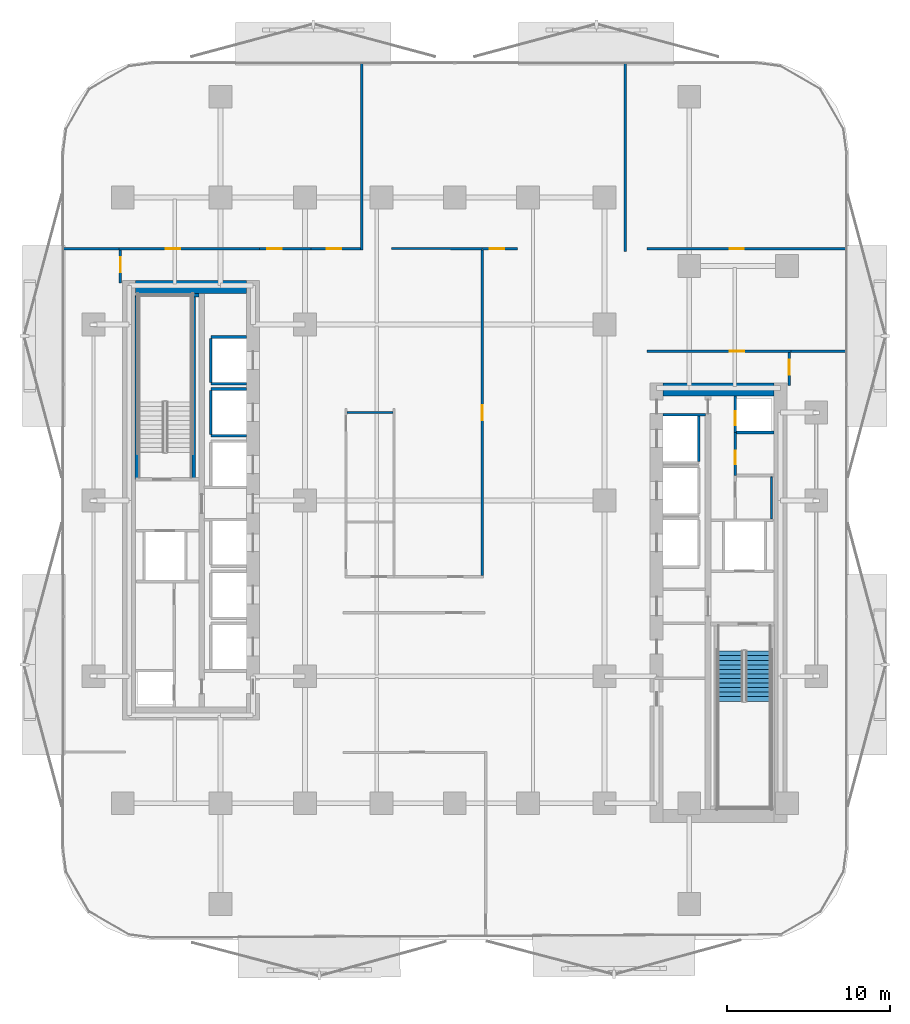
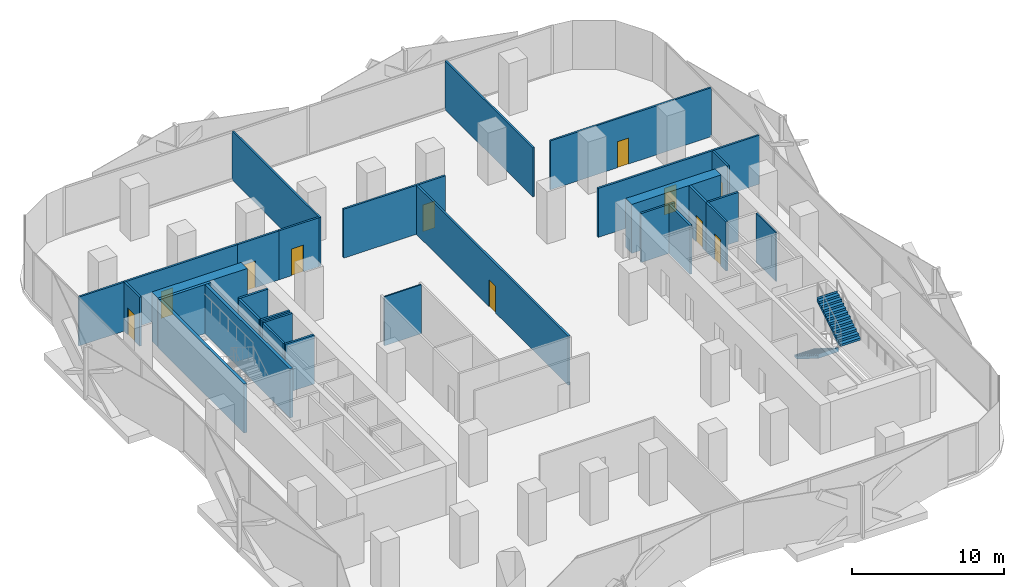
# One storey, part 5 of 15: 32 walls, 11 doors, 2 stair flights, 11 openings, 1 element without a shape of its own.
"""IFC4 building model written with IfcOpenShell, lengths in metres."""

from ifc_helpers import new_model, si_unit, direction, frame, frame_2d, origin, place, context, subcontext, project, spatial, polyline, rectangle, outline, extrude, material, layer, layer_set, type_object, element, fill, aggregate, save


model = new_model("IFC4")

# Units and contexts
model_context = context("Model", 3, precision=1e-05, world=origin(), true_north=direction((0.0, 1.0)))
body_context = subcontext(model_context, "Body", "Model", "MODEL_VIEW")
ifc_project = project(units=[si_unit("LENGTHUNIT", "METRE"), si_unit("AREAUNIT", "SQUARE_METRE"), si_unit("VOLUMEUNIT", "CUBIC_METRE"), si_unit("PLANEANGLEUNIT", "RADIAN"), si_unit("MASSUNIT", "GRAM", prefix="KILO")], contexts=[model_context])

# Site, building, storey
site_placement = place(None, origin())
site = spatial("IfcSite", under=ifc_project, at=site_placement, CompositionType="ELEMENT")
building_placement = place(site_placement, origin())
building = spatial("IfcBuilding", under=site, at=building_placement, Name="Khairoan Windgate Tower", CompositionType="ELEMENT")
storey_placement = place(building_placement, frame((0.0, 0.0, 68.0)))
storey = spatial("IfcBuildingStorey", under=building, at=storey_placement, Name="L16", CompositionType="ELEMENT", Elevation=68.0)

# Walls
ifc_material_1 = material(Name="Moisture-Resistant Gypsum Partition", Category="gypsum")
ifc_layer_1 = layer(ifc_material_1, 0.10009765625, Name="Moisture-Resistant Gypsum Partition")
ifc_layer_set_1 = layer_set([ifc_layer_1], Name="Moisture-Resistant Gypsum Partition")
wall_type_1 = type_object("IfcWallType", Name="Bathroom Wet-Area Partition Wall", PredefinedType="PARTITIONING", material=ifc_layer_set_1)
wall_1_placement = place(storey_placement, frame((19.449951171875, 1.449951171875, 0.0), z_axis=(0.0, 0.0, 1.0), x_axis=(0.0, -1.0, 0.0)))
element("IfcWall", 1, at=wall_1_placement, inside=storey, type_object=wall_type_1, Name="L16 Wet Room Side Wall 035", PredefinedType="PARTITIONING", context=body_context, shape_type="SweptSolid", body=[
    extrude(rectangle(XDim=2.58984375, YDim=0.10009765625, at=frame_2d((1.294921875, 0.0))), origin(), (0.0, 0.0, 1.0), 3.93994140625),
])
wall_2_placement = place(storey_placement, frame((-6.610107421875, 5.39990234375, 0.0), z_axis=(0.0, 0.0, 1.0), x_axis=(1.0, 0.0, 0.0)))
element("IfcWall", 2, at=wall_2_placement, inside=storey, type_object=wall_type_1, Name="L16 Wet Room Side Wall 036", PredefinedType="PARTITIONING", context=body_context, shape_type="SweptSolid", body=[
    extrude(rectangle(XDim=2.800048828125, YDim=0.10009765625, at=frame_2d((1.39990234375, 0.0))), origin(), (0.0, 0.0, 1.0), 3.93994140625),
])
ifc_material_2 = material(Name="Concrete C40/50", Category="concrete")
ifc_layer_2 = layer(ifc_material_2, 0.159912109375, Name="Concrete C40/50")
ifc_layer_set_2 = layer_set([ifc_layer_2], Name="Concrete C40/50")
wall_type_2 = type_object("IfcWallType", Name="Core and Hoistway Enclosure Wall", PredefinedType="STANDARD", material=ifc_layer_set_2)
for number, where, z_axis, x_axis, name in (
    (3, (-14.989990234375, 7.159912109375, 0.0), (0.0, 0.0, 1.0), (1.0, 0.0, 0.0), "L16 Lift PL1 Hoistway Divider S"),
    (4, (-14.989990234375, 10.0400390625, 0.0), (0.0, 0.0, 1.0), (1.0, 0.0, 0.0), "L16 Lift PL1 Hoistway Divider N"),
):
    element("IfcWall", number, at=place(storey_placement, frame(where, z_axis=z_axis, x_axis=x_axis)), inside=storey, type_object=wall_type_2, Name=name, PredefinedType="STANDARD", context=body_context, shape_type="SweptSolid", body=[
        extrude(rectangle(XDim=2.18994140625, YDim=0.159912109375, at=frame_2d((1.094970703125, 0.0))), origin(), (0.0, 0.0, 1.0), 3.93994140625),
    ])
wall_3_placement = place(storey_placement, frame((-14.989990234375, 7.25, 0.0), z_axis=(0.0, 0.0, 1.0), x_axis=(0.0, 1.0, 0.0)))
element("IfcWall", 5, at=wall_3_placement, inside=storey, type_object=wall_type_2, Name="L16 Lift PL1 Hoistway Back Wall", PredefinedType="STANDARD", context=body_context, shape_type="SweptSolid", body=[
    extrude(rectangle(XDim=2.699951171875, YDim=0.159912109375, at=frame_2d((1.35009765625, 0.0))), origin(), (0.0, 0.0, 1.0), 3.93994140625),
])
for number, where, z_axis, x_axis, name in (
    (6, (-14.989990234375, 3.9599609375, 0.0), (0.0, 0.0, 1.0), (1.0, 0.0, 0.0), "L16 Lift PL2 Hoistway Divider S"),
    (7, (-14.989990234375, 6.840087890625, 0.0), (0.0, 0.0, 1.0), (1.0, 0.0, 0.0), "L16 Lift PL2 Hoistway Divider N"),
):
    element("IfcWall", number, at=place(storey_placement, frame(where, z_axis=z_axis, x_axis=x_axis)), inside=storey, type_object=wall_type_2, Name=name, PredefinedType="STANDARD", context=body_context, shape_type="SweptSolid", body=[
        extrude(rectangle(XDim=2.18994140625, YDim=0.159912109375, at=frame_2d((1.094970703125, 0.0))), origin(), (0.0, 0.0, 1.0), 3.93994140625),
    ])
wall_4_placement = place(storey_placement, frame((-14.989990234375, 4.050048828125, 0.0), z_axis=(0.0, 0.0, 1.0), x_axis=(0.0, 1.0, 0.0)))
element("IfcWall", 8, at=wall_4_placement, inside=storey, type_object=wall_type_2, Name="L16 Lift PL2 Hoistway Back Wall", PredefinedType="STANDARD", context=body_context, shape_type="SweptSolid", body=[
    extrude(rectangle(XDim=2.699951171875, YDim=0.159912109375, at=frame_2d((1.35009765625, 0.0))), origin(), (0.0, 0.0, 1.0), 3.93994140625),
])
wall_5_placement = place(storey_placement, frame((14.989990234375, 2.39990234375, 0.0), z_axis=(0.0, 0.0, 1.0), x_axis=(0.0, 1.0, 0.0)))
element("IfcWall", 9, at=wall_5_placement, inside=storey, type_object=wall_type_2, Name="L16 Lift PL7 Hoistway Back Wall", PredefinedType="STANDARD", context=body_context, shape_type="SweptSolid", body=[
    extrude(rectangle(XDim=2.800048828125, YDim=0.159912109375, at=frame_2d((1.39990234375, 0.0))), origin(), (0.0, 0.0, 1.0), 3.93994140625),
])
wall_6_placement = place(storey_placement, frame((12.800048828125, 5.25, 0.0), z_axis=(0.0, 0.0, 1.0), x_axis=(1.0, 0.0, 0.0)))
element("IfcWall", 10, at=wall_6_placement, inside=storey, type_object=wall_type_2, Name="L16 Core Shaft Wall SW-ESV-L16", PredefinedType="STANDARD", context=body_context, shape_type="SweptSolid", body=[
    extrude(rectangle(XDim=2.599853515625, YDim=0.159912109375, at=frame_2d((1.2998046875, 0.0))), origin(), (0.0, 0.0, 1.0), 3.93994140625),
])
ifc_material_3 = material(Name="Acoustic Fire-Rated Gypsum Partition", Category="gypsum")
ifc_layer_3 = layer(ifc_material_3, 0.139892578125, Name="Acoustic Fire-Rated Gypsum Partition")
ifc_layer_set_3 = layer_set([ifc_layer_3], Name="Acoustic Fire-Rated Gypsum Partition")
wall_type_3 = type_object("IfcWallType", Name="Inter-Tenancy Compartment Wall", PredefinedType="PARTITIONING", material=ifc_layer_set_3)
for number, where, z_axis, x_axis, name in (
    (11, (-24.054931640625, 15.4599609375, 0.0), (0.0, 0.0, 1.0), (1.0, 0.0, 0.0), "L16 Interior Partition 023"),
    (12, (20.639892578125, 9.159912109375, 0.0), (0.0, 0.0, 1.0), (1.0, 0.0, 0.0), "L16 Interior Partition 025"),
):
    element("IfcWall", number, at=place(storey_placement, frame(where, z_axis=z_axis, x_axis=x_axis)), inside=storey, type_object=wall_type_3, Name=name, PredefinedType="PARTITIONING", context=body_context, shape_type="SweptSolid", body=[
        extrude(rectangle(XDim=3.4150390625, YDim=0.139892578125, at=frame_2d((1.70751953125, 0.0))), origin(), (0.0, 0.0, 1.0), 3.93994140625),
    ])

# Wall, opening, door
wall_7_placement = place(storey_placement, frame((11.81005859375, 15.4599609375, 0.0), z_axis=(0.0, 0.0, 1.0), x_axis=(1.0, 0.0, 0.0)))
wall_7 = element("IfcWall", 13, at=wall_7_placement, inside=storey, type_object=wall_type_3, Name="L16 Interior Partition 026", PredefinedType="PARTITIONING", context=body_context, shape_type="SweptSolid", body=[
    extrude(rectangle(XDim=12.244873046875, YDim=0.139892578125, at=frame_2d((6.12255859375, 0.0))), origin(), (0.0, 0.0, 1.0), 3.93994140625),
])
opening_1_placement = place(wall_7_placement, frame((5.09326171875, 0.0, 0.0)))
opening_1 = element("IfcOpeningElement", 14, at=opening_1_placement, cuts=wall_7, Name="Opening FD-SRV", PredefinedType="OPENING", context=body_context, shape_type="SweptSolid", body=[
    extrude(rectangle(XDim=0.85009765625, YDim=2.10009765625, at=frame_2d((0.425048828125, 1.050048828125))), frame((0.0, 0.079833984375, 0.0), z_axis=(0.0, -1.0, 0.0), x_axis=(1.0, 0.0, 0.0)), (0.0, 0.0, 1.0), 0.159912109375),
])
ifc_material_4 = material(Name="Steel S355", Category="steel")
door_type_1 = type_object("IfcDoorType", Name="Core Service and Riser Fire Door FD-SRV 850x2100", OperationType="NOTDEFINED", PredefinedType="DOOR", material=ifc_material_4)
door_1_placement = place(opening_1_placement, origin())
door_1 = element("IfcDoor", 15, at=door_1_placement, inside=storey, type_object=door_type_1, Name="L16 L16-38-L16-41 Door", OperationType="SINGLE_SWING_LEFT", OverallHeight=2.10009765625, OverallWidth=0.85009765625, PredefinedType="DOOR", context=body_context, shape_type="SweptSolid", body=[
    extrude(rectangle(XDim=0.85009765625, YDim=2.10009765625, at=frame_2d((0.425048828125, 1.050048828125))), frame((0.0, 0.02490234375, 0.0), z_axis=(0.0, -1.0, 0.0), x_axis=(1.0, 0.0, 0.0)), (0.0, 0.0, 1.0), 0.050048828125),
])
fill(opening_1, door_1)

# Walls
wall_8_placement = place(storey_placement, frame((-5.7119140625, 15.385009765625, 0.0), z_axis=(0.0, 0.0, 1.0), x_axis=(0.0, 1.0, 0.0)))
element("IfcWall", 16, at=wall_8_placement, inside=storey, type_object=wall_type_3, Name="L16 Interior Partition 027", PredefinedType="PARTITIONING", context=body_context, shape_type="SweptSolid", body=[
    extrude(rectangle(XDim=11.469970703125, YDim=0.139892578125, at=frame_2d((5.73486328125, 0.0))), origin(), (0.0, 0.0, 1.0), 3.93994140625),
])
wall_9_placement = place(storey_placement, frame((10.471923828125, 15.280029296875, 0.0), z_axis=(0.0, 0.0, 1.0), x_axis=(0.0, 1.0, 0.0)))
element("IfcWall", 17, at=wall_9_placement, inside=storey, type_object=wall_type_3, Name="L16 Interior Partition 028", PredefinedType="PARTITIONING", context=body_context, shape_type="SweptSolid", body=[
    extrude(rectangle(XDim=11.574951171875, YDim=0.139892578125, at=frame_2d((5.78759765625, 0.0))), origin(), (0.0, 0.0, 1.0), 3.93994140625),
])
wall_10_placement = place(storey_placement, frame((-3.89990234375, 15.47998046875, 0.0), z_axis=(0.0, 0.0, 1.0), x_axis=(0.999993575589, -0.003584519724, 0.0)))
element("IfcWall", 18, at=wall_10_placement, inside=storey, type_object=wall_type_3, Name="L16 Interior Partition 029", PredefinedType="PARTITIONING", context=body_context, shape_type="SweptSolid", body=[
    extrude(rectangle(XDim=5.5849609375, YDim=0.139892578125, at=frame_2d((2.79248046875, 0.0))), origin(), (0.0, 0.0, 1.0), 3.93994140625),
])

# Wall, opening, door
ifc_material_5 = material(Name="Concrete C40/50", Category="concrete")
ifc_layer_4 = layer(ifc_material_5, 0.159912109375, Name="Concrete C40/50")
ifc_layer_set_4 = layer_set([ifc_layer_4], Name="Concrete C40/50")
wall_type_4 = type_object("IfcWallType", Name="Plant and Refuge Compartment Wall", PredefinedType="PARTITIONING", material=ifc_layer_set_4)
wall_11_placement = place(storey_placement, frame((17.22998046875, 4.169921875, 0.0), z_axis=(0.0, 0.0, 1.0), x_axis=(0.0, 1.0, 0.0)))
wall_11 = element("IfcWall", 19, at=wall_11_placement, inside=storey, type_object=wall_type_4, Name="L16 Interior Partition 004", PredefinedType="PARTITIONING", context=body_context, shape_type="SweptSolid", body=[
    extrude(rectangle(XDim=2.22998046875, YDim=0.159912109375, at=frame_2d((1.114990234375, 0.0))), origin(), (0.0, 0.0, 1.0), 3.93994140625),
])
opening_2_placement = place(wall_11_placement, frame((0.4599609375, 0.0, 0.0)))
opening_2 = element("IfcOpeningElement", 20, at=opening_2_placement, cuts=wall_11, Name="Opening FD-SRV", PredefinedType="OPENING", context=body_context, shape_type="SweptSolid", body=[
    extrude(rectangle(XDim=0.85009765625, YDim=2.10009765625, at=frame_2d((0.425048828125, 1.050048828125))), frame((0.0, 0.08984375, 0.0), z_axis=(0.0, -1.0, 0.0), x_axis=(1.0, 0.0, 0.0)), (0.0, 0.0, 1.0), 0.179931640625),
])
door_2_placement = place(opening_2_placement, origin())
door_2 = element("IfcDoor", 21, at=door_2_placement, inside=storey, type_object=door_type_1, Name="L16 L16-18-L16-19 Door", OperationType="SINGLE_SWING_LEFT", OverallHeight=2.10009765625, OverallWidth=0.85009765625, PredefinedType="DOOR", context=body_context, shape_type="SweptSolid", body=[
    extrude(rectangle(XDim=0.85009765625, YDim=2.10009765625, at=frame_2d((0.425048828125, 1.050048828125))), frame((0.0, 0.02490234375, 0.0), z_axis=(0.0, -1.0, 0.0), x_axis=(1.0, 0.0, 0.0)), (0.0, 0.0, 1.0), 0.050048828125),
])
fill(opening_2, door_2)

wall_12_placement = place(storey_placement, frame((17.22998046875, 1.530029296875, 0.0), z_axis=(0.0, 0.0, 1.0), x_axis=(0.0, 1.0, 0.0)))
wall_12 = element("IfcWall", 22, at=wall_12_placement, inside=storey, type_object=wall_type_4, Name="L16 Interior Partition 006", PredefinedType="PARTITIONING", context=body_context, shape_type="SweptSolid", body=[
    extrude(rectangle(XDim=2.639892578125, YDim=0.159912109375, at=frame_2d((1.31982421875, 0.0))), origin(), (0.0, 0.0, 1.0), 3.93994140625),
])
opening_3_placement = place(wall_12_placement, frame((0.677490234375, 0.0, 0.0)))
opening_3 = element("IfcOpeningElement", 23, at=opening_3_placement, cuts=wall_12, Name="Opening FD-SRV", PredefinedType="OPENING", context=body_context, shape_type="SweptSolid", body=[
    extrude(rectangle(XDim=0.85009765625, YDim=2.10009765625, at=frame_2d((0.425048828125, 1.050048828125))), frame((0.0, 0.08984375, 0.0), z_axis=(0.0, -1.0, 0.0), x_axis=(1.0, 0.0, 0.0)), (0.0, 0.0, 1.0), 0.179931640625),
])
door_3_placement = place(opening_3_placement, origin())
door_3 = element("IfcDoor", 24, at=door_3_placement, inside=storey, type_object=door_type_1, Name="L16 L16-18-L16-21 Door", OperationType="SINGLE_SWING_LEFT", OverallHeight=2.10009765625, OverallWidth=0.85009765625, PredefinedType="DOOR", context=body_context, shape_type="SweptSolid", body=[
    extrude(rectangle(XDim=0.85009765625, YDim=2.10009765625, at=frame_2d((0.425048828125, 1.050048828125))), frame((0.0, 0.02490234375, 0.0), z_axis=(0.0, -1.0, 0.0), x_axis=(1.0, 0.0, 0.0)), (0.0, 0.0, 1.0), 0.050048828125),
])
fill(opening_3, door_3)

# Wall
wall_13_placement = place(storey_placement, frame((17.31005859375, 4.169921875, 0.0), z_axis=(0.0, 0.0, 1.0), x_axis=(1.0, 0.0, 0.0)))
element("IfcWall", 25, at=wall_13_placement, inside=storey, type_object=wall_type_4, Name="L16 Interior Partition 007", PredefinedType="PARTITIONING", context=body_context, shape_type="SweptSolid", body=[
    extrude(rectangle(XDim=2.2900390625, YDim=0.159912109375, at=frame_2d((1.14501953125, 0.0))), origin(), (0.0, 0.0, 1.0), 3.93994140625),
])

# Wall, opening, door
ifc_material_6 = material(Name="Acoustic Fire-Rated Gypsum Partition", Category="gypsum")
ifc_layer_5 = layer(ifc_material_6, 0.14990234375, Name="Acoustic Fire-Rated Gypsum Partition")
ifc_layer_set_5 = layer_set([ifc_layer_5], Name="Acoustic Fire-Rated Gypsum Partition")
wall_type_5 = type_object("IfcWallType", Name="Rated Corridor Partition Wall", PredefinedType="PARTITIONING", material=ifc_layer_set_5)
wall_14_placement = place(storey_placement, frame((-11.989990234375, 15.4599609375, 0.0), z_axis=(0.0, 0.0, 1.0), x_axis=(1.0, 0.0, 0.0)))
wall_14 = element("IfcWall", 26, at=wall_14_placement, inside=storey, type_object=wall_type_5, Name="L16 Interior Partition 010", PredefinedType="PARTITIONING", context=body_context, shape_type="SweptSolid", body=[
    extrude(rectangle(XDim=3.14990234375, YDim=0.14990234375, at=frame_2d((1.574951171875, 0.0))), origin(), (0.0, 0.0, 1.0), 3.93994140625),
])
opening_4_placement = place(wall_14_placement, frame((0.4599609375, 0.0, 0.0)))
opening_4 = element("IfcOpeningElement", 27, at=opening_4_placement, cuts=wall_14, Name="Opening FD-ENT", PredefinedType="OPENING", context=body_context, shape_type="SweptSolid", body=[
    extrude(rectangle(XDim=0.89990234375, YDim=2.14990234375, at=frame_2d((0.449951171875, 1.074951171875))), frame((0.0, 0.0849609375, 0.0), z_axis=(0.0, -1.0, 0.0), x_axis=(1.0, 0.0, 0.0)), (0.0, 0.0, 1.0), 0.169921875),
])
ifc_material_7 = material(Name="Timber Fire-Rated Core", Category="wood")
door_type_2 = type_object("IfcDoorType", Name="Unit and Office Fire Entrance Door FD-ENT 900x2150", OperationType="NOTDEFINED", PredefinedType="DOOR", material=ifc_material_7)
door_4_placement = place(opening_4_placement, origin())
door_4 = element("IfcDoor", 28, at=door_4_placement, inside=storey, type_object=door_type_2, Name="L16 L16-29-L16-39 Door", OperationType="SINGLE_SWING_RIGHT", OverallHeight=2.14990234375, OverallWidth=0.89990234375, PredefinedType="DOOR", context=body_context, shape_type="SweptSolid", body=[
    extrude(rectangle(XDim=0.89990234375, YDim=2.14990234375, at=frame_2d((0.449951171875, 1.074951171875))), frame((0.0, 0.02490234375, 0.0), z_axis=(0.0, -1.0, 0.0), x_axis=(1.0, 0.0, 0.0)), (0.0, 0.0, 1.0), 0.050048828125),
])
fill(opening_4, door_4)

wall_15_placement = place(storey_placement, frame((-8.840087890625, 15.4599609375, 0.0), z_axis=(0.0, 0.0, 1.0), x_axis=(1.0, 0.0, 0.0)))
wall_15 = element("IfcWall", 29, at=wall_15_placement, inside=storey, type_object=wall_type_5, Name="L16 Interior Partition 014", PredefinedType="PARTITIONING", context=body_context, shape_type="SweptSolid", body=[
    extrude(rectangle(XDim=3.05810546875, YDim=0.14990234375, at=frame_2d((1.529052734375, 0.0))), origin(), (0.0, 0.0, 1.0), 3.93994140625),
])
opening_5_placement = place(wall_15_placement, frame((0.969970703125, 0.0, 0.0)))
opening_5 = element("IfcOpeningElement", 30, at=opening_5_placement, cuts=wall_15, Name="Opening FD-ENT", PredefinedType="OPENING", context=body_context, shape_type="SweptSolid", body=[
    extrude(rectangle(XDim=0.89990234375, YDim=2.14990234375, at=frame_2d((0.449951171875, 1.074951171875))), frame((0.0, 0.0849609375, 0.0), z_axis=(0.0, -1.0, 0.0), x_axis=(1.0, 0.0, 0.0)), (0.0, 0.0, 1.0), 0.169921875),
])
door_5_placement = place(opening_5_placement, origin())
door_5 = element("IfcDoor", 31, at=door_5_placement, inside=storey, type_object=door_type_2, Name="L16 L16-32-L16-39 Door", OperationType="SINGLE_SWING_RIGHT", OverallHeight=2.14990234375, OverallWidth=0.89990234375, PredefinedType="DOOR", context=body_context, shape_type="SweptSolid", body=[
    extrude(rectangle(XDim=0.89990234375, YDim=2.14990234375, at=frame_2d((0.449951171875, 1.074951171875))), frame((0.0, 0.02490234375, 0.0), z_axis=(0.0, -1.0, 0.0), x_axis=(1.0, 0.0, 0.0)), (0.0, 0.0, 1.0), 0.050048828125),
])
fill(opening_5, door_5)

wall_16_placement = place(storey_placement, frame((1.68505859375, 15.4599609375, 0.0), z_axis=(0.0, 0.0, 1.0), x_axis=(1.0, 0.0, 0.0)))
wall_16 = element("IfcWall", 32, at=wall_16_placement, inside=storey, type_object=wall_type_5, Name="L16 Interior Partition 017", PredefinedType="PARTITIONING", context=body_context, shape_type="SweptSolid", body=[
    extrude(rectangle(XDim=2.155029296875, YDim=0.14990234375, at=frame_2d((1.07763671875, 0.0))), origin(), (0.0, 0.0, 1.0), 3.93994140625),
])
opening_6_placement = place(wall_16_placement, frame((0.4599609375, 0.0, 0.0)))
opening_6 = element("IfcOpeningElement", 33, at=opening_6_placement, cuts=wall_16, Name="Opening FD-ENT", PredefinedType="OPENING", context=body_context, shape_type="SweptSolid", body=[
    extrude(rectangle(XDim=0.89990234375, YDim=2.14990234375, at=frame_2d((0.449951171875, 1.074951171875))), frame((0.0, 0.0849609375, 0.0), z_axis=(0.0, -1.0, 0.0), x_axis=(1.0, 0.0, 0.0)), (0.0, 0.0, 1.0), 0.169921875),
])
door_6_placement = place(opening_6_placement, origin())
door_6 = element("IfcDoor", 34, at=door_6_placement, inside=storey, type_object=door_type_2, Name="L16 L16-33-L16-40 Door", OperationType="SINGLE_SWING_LEFT", OverallHeight=2.14990234375, OverallWidth=0.89990234375, PredefinedType="DOOR", context=body_context, shape_type="SweptSolid", body=[
    extrude(rectangle(XDim=0.89990234375, YDim=2.14990234375, at=frame_2d((0.449951171875, 1.074951171875))), frame((0.0, 0.02490234375, 0.0), z_axis=(0.0, -1.0, 0.0), x_axis=(1.0, 0.0, 0.0)), (0.0, 0.0, 1.0), 0.050048828125),
])
fill(opening_6, door_6)

wall_17_placement = place(storey_placement, frame((1.68505859375, -4.6201171875, 0.0), z_axis=(0.0, 0.0, 1.0), x_axis=(0.0, 1.0, 0.0)))
wall_17 = element("IfcWall", 35, at=wall_17_placement, inside=storey, type_object=wall_type_5, Name="L16 Interior Partition 018", PredefinedType="PARTITIONING", context=body_context, shape_type="SweptSolid", body=[
    extrude(rectangle(XDim=20.005126953125, YDim=0.14990234375, at=frame_2d((10.00244140625, 0.0))), origin(), (0.0, 0.0, 1.0), 3.93994140625),
])
opening_7_placement = place(wall_17_placement, frame((9.552490234375, 0.0, 0.0)))
opening_7 = element("IfcOpeningElement", 36, at=opening_7_placement, cuts=wall_17, Name="Opening FD-ENT", PredefinedType="OPENING", context=body_context, shape_type="SweptSolid", body=[
    extrude(rectangle(XDim=0.89990234375, YDim=2.14990234375, at=frame_2d((0.449951171875, 1.074951171875))), frame((0.0, 0.0849609375, 0.0), z_axis=(0.0, -1.0, 0.0), x_axis=(1.0, 0.0, 0.0)), (0.0, 0.0, 1.0), 0.169921875),
])
door_7_placement = place(opening_7_placement, origin())
door_7 = element("IfcDoor", 37, at=door_7_placement, inside=storey, type_object=door_type_2, Name="L16 L16-33-L16-46 Door", OperationType="SINGLE_SWING_RIGHT", OverallHeight=2.14990234375, OverallWidth=0.89990234375, PredefinedType="DOOR", context=body_context, shape_type="SweptSolid", body=[
    extrude(rectangle(XDim=0.89990234375, YDim=2.14990234375, at=frame_2d((0.449951171875, 1.074951171875))), frame((0.0, 0.02490234375, 0.0), z_axis=(0.0, -1.0, 0.0), x_axis=(1.0, 0.0, 0.0)), (0.0, 0.0, 1.0), 0.050048828125),
])
fill(opening_7, door_7)

wall_18_placement = place(storey_placement, frame((-20.5400390625, 13.360107421875, 0.0), z_axis=(0.0, 0.0, 1.0), x_axis=(0.0, 1.0, 0.0)))
wall_18 = element("IfcWall", 38, at=wall_18_placement, inside=storey, type_object=wall_type_5, Name="L16 Interior Partition 019", PredefinedType="PARTITIONING", context=body_context, shape_type="SweptSolid", body=[
    extrude(rectangle(XDim=2.02490234375, YDim=0.14990234375, at=frame_2d((1.012451171875, 0.0))), origin(), (0.0, 0.0, 1.0), 3.93994140625),
])
opening_8_placement = place(wall_18_placement, frame((0.6650390625, 0.0, 0.0)))
opening_8 = element("IfcOpeningElement", 39, at=opening_8_placement, cuts=wall_18, Name="Opening FD-ENT", PredefinedType="OPENING", context=body_context, shape_type="SweptSolid", body=[
    extrude(rectangle(XDim=0.89990234375, YDim=2.14990234375, at=frame_2d((0.449951171875, 1.074951171875))), frame((0.0, 0.0849609375, 0.0), z_axis=(0.0, -1.0, 0.0), x_axis=(1.0, 0.0, 0.0)), (0.0, 0.0, 1.0), 0.169921875),
])
door_8_placement = place(opening_8_placement, origin())
door_8 = element("IfcDoor", 40, at=door_8_placement, inside=storey, type_object=door_type_2, Name="L16 L16-34-L16-36 Door", OperationType="SINGLE_SWING_LEFT", OverallHeight=2.14990234375, OverallWidth=0.89990234375, PredefinedType="DOOR", context=body_context, shape_type="SweptSolid", body=[
    extrude(rectangle(XDim=0.89990234375, YDim=2.14990234375, at=frame_2d((0.449951171875, 1.074951171875))), frame((0.0, 0.02490234375, 0.0), z_axis=(0.0, -1.0, 0.0), x_axis=(1.0, 0.0, 0.0)), (0.0, 0.0, 1.0), 0.050048828125),
])
fill(opening_8, door_8)

wall_19_placement = place(storey_placement, frame((-20.639892578125, 15.4599609375, 0.0), z_axis=(0.0, 0.0, 1.0), x_axis=(1.0, 0.0, 0.0)))
wall_19 = element("IfcWall", 41, at=wall_19_placement, inside=storey, type_object=wall_type_5, Name="L16 Interior Partition 020", PredefinedType="PARTITIONING", context=body_context, shape_type="SweptSolid", body=[
    extrude(rectangle(XDim=8.64990234375, YDim=0.14990234375, at=frame_2d((4.324951171875, 0.0))), origin(), (0.0, 0.0, 1.0), 3.93994140625),
])
opening_9_placement = place(wall_19_placement, frame((2.87060546875, 0.0, 0.0)))
opening_9 = element("IfcOpeningElement", 42, at=opening_9_placement, cuts=wall_19, Name="Opening FD-ENT", PredefinedType="OPENING", context=body_context, shape_type="SweptSolid", body=[
    extrude(rectangle(XDim=0.89990234375, YDim=2.14990234375, at=frame_2d((0.449951171875, 1.074951171875))), frame((0.0, 0.0849609375, 0.0), z_axis=(0.0, -1.0, 0.0), x_axis=(1.0, 0.0, 0.0)), (0.0, 0.0, 1.0), 0.169921875),
])
door_9_placement = place(opening_9_placement, origin())
door_9 = element("IfcDoor", 43, at=door_9_placement, inside=storey, type_object=door_type_2, Name="L16 L16-34-L16-39 Door", OperationType="SINGLE_SWING_RIGHT", OverallHeight=2.14990234375, OverallWidth=0.89990234375, PredefinedType="DOOR", context=body_context, shape_type="SweptSolid", body=[
    extrude(rectangle(XDim=0.89990234375, YDim=2.14990234375, at=frame_2d((0.449951171875, 1.074951171875))), frame((0.0, 0.02490234375, 0.0), z_axis=(0.0, -1.0, 0.0), x_axis=(1.0, 0.0, 0.0)), (0.0, 0.0, 1.0), 0.050048828125),
])
fill(opening_9, door_9)

wall_20_placement = place(storey_placement, frame((20.5400390625, 7.06005859375, 0.0), z_axis=(0.0, 0.0, 1.0), x_axis=(0.0, 1.0, 0.0)))
wall_20 = element("IfcWall", 44, at=wall_20_placement, inside=storey, type_object=wall_type_5, Name="L16 Interior Partition 021", PredefinedType="PARTITIONING", context=body_context, shape_type="SweptSolid", body=[
    extrude(rectangle(XDim=2.02490234375, YDim=0.14990234375, at=frame_2d((1.012451171875, 0.0))), origin(), (0.0, 0.0, 1.0), 3.93994140625),
])
opening_10_placement = place(wall_20_placement, frame((0.6650390625, 0.0, 0.0)))
opening_10 = element("IfcOpeningElement", 45, at=opening_10_placement, cuts=wall_20, Name="Opening FD-ENT", PredefinedType="OPENING", context=body_context, shape_type="SweptSolid", body=[
    extrude(rectangle(XDim=0.89990234375, YDim=2.14990234375, at=frame_2d((0.449951171875, 1.074951171875))), frame((0.0, 0.0849609375, 0.0), z_axis=(0.0, -1.0, 0.0), x_axis=(1.0, 0.0, 0.0)), (0.0, 0.0, 1.0), 0.169921875),
])
door_10_placement = place(opening_10_placement, origin())
door_10 = element("IfcDoor", 46, at=door_10_placement, inside=storey, type_object=door_type_2, Name="L16 L16-35-L16-37 Door", OperationType="SINGLE_SWING_LEFT", OverallHeight=2.14990234375, OverallWidth=0.89990234375, PredefinedType="DOOR", context=body_context, shape_type="SweptSolid", body=[
    extrude(rectangle(XDim=0.89990234375, YDim=2.14990234375, at=frame_2d((0.449951171875, 1.074951171875))), frame((0.0, 0.02490234375, 0.0), z_axis=(0.0, -1.0, 0.0), x_axis=(1.0, 0.0, 0.0)), (0.0, 0.0, 1.0), 0.050048828125),
])
fill(opening_10, door_10)

wall_21_placement = place(storey_placement, frame((11.81005859375, 9.159912109375, 0.0), z_axis=(0.0, 0.0, 1.0), x_axis=(1.0, 0.0, 0.0)))
wall_21 = element("IfcWall", 47, at=wall_21_placement, inside=storey, type_object=wall_type_5, Name="L16 Interior Partition 022", PredefinedType="PARTITIONING", context=body_context, shape_type="SweptSolid", body=[
    extrude(rectangle(XDim=8.829833984375, YDim=0.14990234375, at=frame_2d((4.4150390625, 0.0))), origin(), (0.0, 0.0, 1.0), 3.93994140625),
])
opening_11_placement = place(wall_21_placement, frame((5.066650390625, 0.0, 0.0)))
opening_11 = element("IfcOpeningElement", 48, at=opening_11_placement, cuts=wall_21, Name="Opening FD-ENT", PredefinedType="OPENING", context=body_context, shape_type="SweptSolid", body=[
    extrude(rectangle(XDim=0.89990234375, YDim=2.14990234375, at=frame_2d((0.449951171875, 1.074951171875))), frame((0.0, 0.0849609375, 0.0), z_axis=(0.0, -1.0, 0.0), x_axis=(1.0, 0.0, 0.0)), (0.0, 0.0, 1.0), 0.169921875),
])
door_11_placement = place(opening_11_placement, origin())
door_11 = element("IfcDoor", 49, at=door_11_placement, inside=storey, type_object=door_type_2, Name="L16 L16-35-L16-38 Door", OperationType="SINGLE_SWING_RIGHT", OverallHeight=2.14990234375, OverallWidth=0.89990234375, PredefinedType="DOOR", context=body_context, shape_type="SweptSolid", body=[
    extrude(rectangle(XDim=0.89990234375, YDim=2.14990234375, at=frame_2d((0.449951171875, 1.074951171875))), frame((0.0, 0.02490234375, 0.0), z_axis=(0.0, -1.0, 0.0), x_axis=(1.0, 0.0, 0.0)), (0.0, 0.0, 1.0), 0.050048828125),
])
fill(opening_11, door_11)

# Walls
ifc_material_8 = material(Name="Concrete C70/85", Category="concrete")
ifc_layer_6 = layer(ifc_material_8, 0.800048828125, Name="Concrete C70/85")
ifc_layer_set_6 = layer_set([ifc_layer_6], Name="Concrete C70/85")
wall_type_6 = type_object("IfcWallType", Name="Shear Wall CW-E1 800mm", PredefinedType="SHEAR", material=ifc_layer_set_6)
wall_22_placement = place(storey_placement, frame((12.800048828125, 6.800048828125, 0.0), z_axis=(0.0, 0.0, 1.0), x_axis=(1.0, 0.0, 0.0)))
element("IfcWall", 50, at=wall_22_placement, inside=storey, type_object=wall_type_6, Name="E Core North Shear Wall L16", PredefinedType="SHEAR", context=body_context, shape_type="SweptSolid", body=[
    extrude(rectangle(XDim=6.800048828125, YDim=0.800048828125, at=frame_2d((3.39990234375, 0.0))), origin(), (0.0, 0.0, 1.0), 3.93994140625),
])
ifc_material_9 = material(Name="Concrete C70/85", Category="concrete")
ifc_layer_7 = layer(ifc_material_9, 0.800048828125, Name="Concrete C70/85")
ifc_layer_set_7 = layer_set([ifc_layer_7], Name="Concrete C70/85")
wall_type_7 = type_object("IfcWallType", Name="Shear Wall CW-W1 800mm", PredefinedType="SHEAR", material=ifc_layer_set_7)
wall_23_placement = place(storey_placement, frame((-19.60009765625, 13.10009765625, 0.0), z_axis=(0.0, 0.0, 1.0), x_axis=(1.0, 0.0, 0.0)))
element("IfcWall", 51, at=wall_23_placement, inside=storey, type_object=wall_type_7, Name="W Core North Shear Wall L16", PredefinedType="SHEAR", context=body_context, shape_type="SweptSolid", body=[
    extrude(rectangle(XDim=6.800048828125, YDim=0.800048828125, at=frame_2d((3.39990234375, 0.0))), origin(), (0.0, 0.0, 1.0), 3.93994140625),
])
ifc_material_10 = material(Name="Concrete C50/60", Category="concrete")
ifc_layer_8 = layer(ifc_material_10, 0.219970703125, Name="Concrete C50/60")
ifc_layer_set_8 = layer_set([ifc_layer_8], Name="Concrete C50/60")
wall_type_8 = type_object("IfcWallType", Name="Shear Wall SW-ST 220mm", PredefinedType="SHEAR", material=ifc_layer_set_8)
for number, where, z_axis, x_axis, name in (
    (52, (-16.0400390625, 1.2900390625, 0.0), (0.0, 0.0, 1.0), (0.0, 1.0, 0.0), "L16 Stair ST2 East Bearing Wall"),
    (53, (-19.530029296875, 1.2900390625, 0.0), (0.0, 0.0, 1.0), (0.0, 1.0, 0.0), "L16 Stair ST2 West Bearing Wall"),
):
    element("IfcWall", number, at=place(storey_placement, frame(where, z_axis=z_axis, x_axis=x_axis)), inside=storey, type_object=wall_type_8, Name=name, PredefinedType="SHEAR", context=body_context, shape_type="SweptSolid", body=[
        extrude(rectangle(XDim=11.300048828125, YDim=0.219970703125, at=frame_2d((5.64990234375, 0.0))), origin(), (0.0, 0.0, 1.0), 3.93994140625),
    ])
wall_24_placement = place(storey_placement, frame((-19.6201171875, 12.590087890625, 0.0), z_axis=(0.0, 0.0, 1.0), x_axis=(1.0, 0.0, 0.0)))
element("IfcWall", 54, at=wall_24_placement, inside=storey, type_object=wall_type_8, Name="L16 Stair ST2 North Bearing Wall", PredefinedType="SHEAR", context=body_context, shape_type="SweptSolid", body=[
    extrude(rectangle(XDim=3.9150390625, YDim=0.219970703125, at=frame_2d((1.95751953125, 0.0))), origin(), (0.0, 0.0, 1.0), 3.93994140625),
])

# Stair, stair flights
ifc_material_11 = material(Name="Concrete C40/50", Category="concrete")
stair_type = type_object("IfcStairType", Name="Tower Core Dog-Leg Stair ST-T1 1560mm", PredefinedType="HALF_TURN_STAIR", material=ifc_material_11)
stair_placement = place(storey_placement, origin())
stair = element("IfcStair", 55, at=stair_placement, inside=storey, type_object=stair_type, Name="L16 Stair ST1", PredefinedType="HALF_TURN_STAIR")
ifc_material_12 = material(Name="Concrete C40/50", Category="concrete")
ifc_layer_9 = layer(ifc_material_12, 0.14990234375, Name="Concrete C40/50")
ifc_layer_set_9 = layer_set([ifc_layer_9], Name="Concrete C40/50")
stair_flight_type = type_object("IfcStairFlightType", Name="Tower Core Stair Flight STF-1560", PredefinedType="STRAIGHT", material=ifc_layer_set_9)
stair_flight_1_placement = place(storey_placement, frame((16.929931640625, -9.260009765625, 0.0), z_axis=(0.0, 0.0, 1.0), x_axis=(0.0, -1.0, 0.0)))
stair_flight_1 = element("IfcStairFlight", 56, at=stair_flight_1_placement, type_object=stair_flight_type, Name="ST1 flight 1", NumberOfRisers=12, NumberOfTreads=11, PredefinedType="STRAIGHT", RiserHeight=0.175, TreadLength=0.28, context=body_context, shape_type="SweptSolid", body=[
    extrude(outline(polyline([(-0.00390625, 0.0), (-0.00390625, 0.175048828125), (0.0, 0.175048828125), (0.280029296875, 0.175048828125), (0.280029296875, 0.35009765625), (0.56005859375, 0.35009765625), (0.56005859375, 0.52490234375), (0.840087890625, 0.52490234375), (0.840087890625, 0.699951171875), (1.1201171875, 0.699951171875), (1.1201171875, 0.875), (1.39990234375, 0.875), (1.39990234375, 1.050048828125), (1.679931640625, 1.050048828125), (1.679931640625, 1.22509765625), (1.9599609375, 1.22509765625), (1.9599609375, 1.39990234375), (2.239990234375, 1.39990234375), (2.239990234375, 1.574951171875), (2.52001953125, 1.574951171875), (2.52001953125, 1.75), (2.800048828125, 1.75), (2.800048828125, 1.925048828125), (3.080078125, 1.925048828125), (3.080078125, 2.10009765625), (3.083984375, 2.10009765625), (3.083984375, 1.748291015625), (0.28271484375, 0.0), (-0.00390625, 0.0)])), frame((0.0, 0.780029296875, 0.0), z_axis=(0.0, -1.0, 0.0), x_axis=(1.0, 0.0, 0.0)), (0.0, 0.0, 1.0), 1.56005859375),
])
stair_flight_2_placement = place(storey_placement, frame((18.639892578125, -12.340087890625, 2.10009765625), z_axis=(0.0, 0.0, 1.0), x_axis=(0.0, 1.0, 0.0)))
stair_flight_2 = element("IfcStairFlight", 57, at=stair_flight_2_placement, type_object=stair_flight_type, Name="ST1 flight 2", NumberOfRisers=12, NumberOfTreads=11, PredefinedType="STRAIGHT", RiserHeight=0.175, TreadLength=0.28, context=body_context, shape_type="SweptSolid", body=[
    extrude(outline(polyline([(-0.00390625, 0.0), (-0.00390625, 0.175048828125), (0.0, 0.175048828125), (0.280029296875, 0.175048828125), (0.280029296875, 0.35009765625), (0.56005859375, 0.35009765625), (0.56005859375, 0.52490234375), (0.840087890625, 0.52490234375), (0.840087890625, 0.699951171875), (1.1201171875, 0.699951171875), (1.1201171875, 0.875), (1.39990234375, 0.875), (1.39990234375, 1.050048828125), (1.679931640625, 1.050048828125), (1.679931640625, 1.22509765625), (1.9599609375, 1.22509765625), (1.9599609375, 1.39990234375), (2.239990234375, 1.39990234375), (2.239990234375, 1.574951171875), (2.52001953125, 1.574951171875), (2.52001953125, 1.75), (2.800048828125, 1.75), (2.800048828125, 1.925048828125), (3.080078125, 1.925048828125), (3.080078125, 2.10009765625), (3.083984375, 2.10009765625), (3.083984375, 1.748291015625), (0.28271484375, 0.0), (-0.00390625, 0.0)])), frame((0.0, 0.780029296875, 0.0), z_axis=(0.0, -1.0, 0.0), x_axis=(1.0, 0.0, 0.0)), (0.0, 0.0, 1.0), 1.56005859375),
])
aggregate(stair, [stair_flight_1, stair_flight_2])

save(model, "model.ifc")
